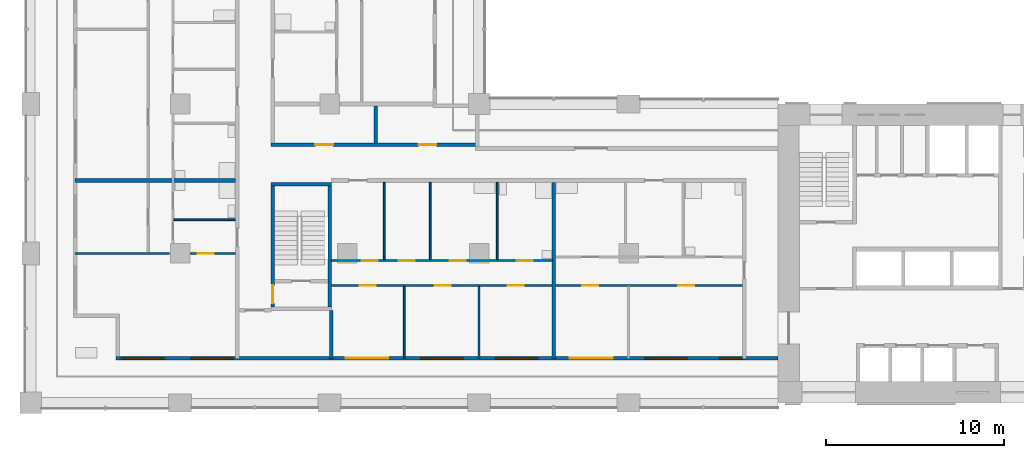
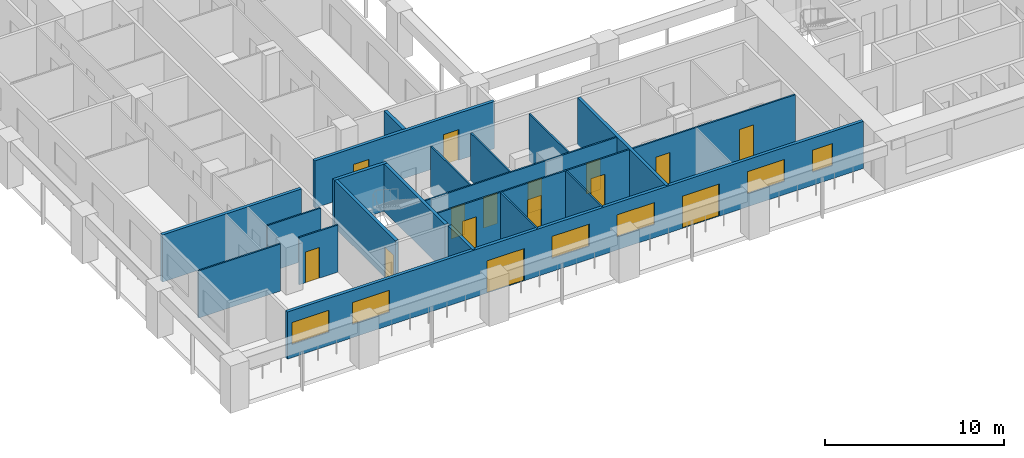
# One storey, part 2 of 17: 19 walls, 15 doors, 6 windows, 21 openings.
"""IFC4 building model written with IfcOpenShell, lengths in metres."""

from ifc_helpers import new_model, si_unit, direction, frame, frame_2d, origin, place, context, subcontext, project, spatial, rectangle, extrude, material, layer, layer_set, type_object, element, fill, save


model = new_model("IFC4")

# Units and contexts
model_context = context("Model", 3, precision=1e-05, world=origin(), true_north=direction((0.0, 1.0)))
body_context = subcontext(model_context, "Body", "Model", "MODEL_VIEW")
ifc_project = project(units=[si_unit("LENGTHUNIT", "METRE"), si_unit("AREAUNIT", "SQUARE_METRE"), si_unit("VOLUMEUNIT", "CUBIC_METRE"), si_unit("PLANEANGLEUNIT", "RADIAN"), si_unit("MASSUNIT", "GRAM", prefix="KILO")], contexts=[model_context])

# Site, building, storey
site_placement = place(None, origin())
site = spatial("IfcSite", under=ifc_project, at=site_placement, CompositionType="ELEMENT")
building_placement = place(site_placement, origin())
building = spatial("IfcBuilding", under=site, at=building_placement, Name="Vermilion Gate Residences", CompositionType="ELEMENT")
storey_placement = place(building_placement, frame((0.0, 0.0, 112.699951171875)))
storey = spatial("IfcBuildingStorey", under=building, at=storey_placement, Name="L28", CompositionType="ELEMENT", Elevation=112.699951171875)

# Wall, openings, doors, windows
ifc_material_1 = material(Name="Insulated steel stud wall with terracotta rainscreen", Category="masonry")
ifc_layer_1 = layer(ifc_material_1, 0.199951171875)
ifc_layer_set_1 = layer_set([ifc_layer_1], Name="EXTERNAL WALL 200 TERRACOTTA RAINSCREEN")
wall_type_1 = type_object("IfcWallType", Name="EXTERNAL WALL 200 TERRACOTTA RAINSCREEN", PredefinedType="SOLIDWALL", material=ifc_layer_set_1)
wall_1_placement = place(storey_placement, frame((4.800048828125, 10.89990234375, 0.0), z_axis=(0.0, 0.0, 1.0), x_axis=(1.0, 0.0, 0.0)))
wall_1 = element("IfcWall", 1, at=wall_1_placement, inside=storey, type_object=wall_type_1, Name="External wall", PredefinedType="SOLIDWALL", context=body_context, shape_type="SweptSolid", body=[
    extrude(rectangle(XDim=37.199951171875, YDim=0.199951171875, at=frame_2d((18.60009765625, 0.0))), origin(), (0.0, 0.0, 1.0), 3.219970703125),
])
opening_1_placement = place(wall_1_placement, frame((0.300048828125, 0.0, 0.89990234375)))
opening_1 = element("IfcOpeningElement", 2, at=opening_1_placement, cuts=wall_1, Name="Opening WE28012", PredefinedType="OPENING", context=body_context, shape_type="SweptSolid", body=[
    extrude(rectangle(XDim=2.39990234375, YDim=1.5, at=frame_2d((1.199951171875, 0.75))), frame((0.0, 0.10986328125, 0.0), z_axis=(0.0, -1.0, 0.0), x_axis=(1.0, 0.0, 0.0)), (0.0, 0.0, 1.0), 0.219970703125),
])
opening_2_placement = place(wall_1_placement, frame((4.199951171875, 0.0, 0.89990234375)))
opening_2 = element("IfcOpeningElement", 3, at=opening_2_placement, cuts=wall_1, Name="Opening WE28013", PredefinedType="OPENING", context=body_context, shape_type="SweptSolid", body=[
    extrude(rectangle(XDim=2.39990234375, YDim=1.5, at=frame_2d((1.199951171875, 0.75))), frame((0.0, 0.10986328125, 0.0), z_axis=(0.0, -1.0, 0.0), x_axis=(1.0, 0.0, 0.0)), (0.0, 0.0, 1.0), 0.219970703125),
])
opening_3_placement = place(wall_1_placement, frame((12.89990234375, 0.0, 0.0)))
opening_3 = element("IfcOpeningElement", 4, at=opening_3_placement, cuts=wall_1, Name="Opening DE28014", PredefinedType="OPENING", context=body_context, shape_type="SweptSolid", body=[
    extrude(rectangle(XDim=2.39990234375, YDim=2.199951171875, at=frame_2d((1.199951171875, 1.10009765625))), frame((0.0, 0.10986328125, 0.0), z_axis=(0.0, -1.0, 0.0), x_axis=(1.0, 0.0, 0.0)), (0.0, 0.0, 1.0), 0.219970703125),
])
opening_4_placement = place(wall_1_placement, frame((17.10009765625, 0.0, 0.89990234375)))
opening_4 = element("IfcOpeningElement", 5, at=opening_4_placement, cuts=wall_1, Name="Opening WE28015", PredefinedType="OPENING", context=body_context, shape_type="SweptSolid", body=[
    extrude(rectangle(XDim=2.39990234375, YDim=1.5, at=frame_2d((1.199951171875, 0.75))), frame((0.0, 0.10986328125, 0.0), z_axis=(0.0, -1.0, 0.0), x_axis=(1.0, 0.0, 0.0)), (0.0, 0.0, 1.0), 0.219970703125),
])
opening_5_placement = place(wall_1_placement, frame((21.300048828125, 0.0, 0.89990234375)))
opening_5 = element("IfcOpeningElement", 6, at=opening_5_placement, cuts=wall_1, Name="Opening WE28016", PredefinedType="OPENING", context=body_context, shape_type="SweptSolid", body=[
    extrude(rectangle(XDim=2.39990234375, YDim=1.5, at=frame_2d((1.199951171875, 0.75))), frame((0.0, 0.10986328125, 0.0), z_axis=(0.0, -1.0, 0.0), x_axis=(1.0, 0.0, 0.0)), (0.0, 0.0, 1.0), 0.219970703125),
])
opening_6_placement = place(wall_1_placement, frame((25.5, 0.0, 0.0)))
opening_6 = element("IfcOpeningElement", 7, at=opening_6_placement, cuts=wall_1, Name="Opening DE28017", PredefinedType="OPENING", context=body_context, shape_type="SweptSolid", body=[
    extrude(rectangle(XDim=2.39990234375, YDim=2.199951171875, at=frame_2d((1.199951171875, 1.10009765625))), frame((0.0, 0.10986328125, 0.0), z_axis=(0.0, -1.0, 0.0), x_axis=(1.0, 0.0, 0.0)), (0.0, 0.0, 1.0), 0.219970703125),
])
opening_7_placement = place(wall_1_placement, frame((29.699951171875, 0.0, 0.89990234375)))
opening_7 = element("IfcOpeningElement", 8, at=opening_7_placement, cuts=wall_1, Name="Opening WE28018", PredefinedType="OPENING", context=body_context, shape_type="SweptSolid", body=[
    extrude(rectangle(XDim=2.39990234375, YDim=1.5, at=frame_2d((1.199951171875, 0.75))), frame((0.0, 0.10986328125, 0.0), z_axis=(0.0, -1.0, 0.0), x_axis=(1.0, 0.0, 0.0)), (0.0, 0.0, 1.0), 0.219970703125),
])
opening_8_placement = place(wall_1_placement, frame((33.89990234375, 0.0, 0.89990234375)))
opening_8 = element("IfcOpeningElement", 9, at=opening_8_placement, cuts=wall_1, Name="Opening WE28019", PredefinedType="OPENING", context=body_context, shape_type="SweptSolid", body=[
    extrude(rectangle(XDim=1.300048828125, YDim=1.5, at=frame_2d((0.64990234375, 0.75))), frame((0.0, 0.10986328125, 0.0), z_axis=(0.0, -1.0, 0.0), x_axis=(1.0, 0.0, 0.0)), (0.0, 0.0, 1.0), 0.219970703125),
])
ifc_material_2 = material(Name="Aluminium and clear glass", Category="aluminium")
door_type_1 = type_object("IfcDoorType", Name="SLIDING GLAZED DOOR 2400 X 2200", OperationType="DOUBLE_DOOR_SLIDING", PredefinedType="DOOR", material=ifc_material_2)
door_1_placement = place(opening_3_placement, origin())
door_1 = element("IfcDoor", 10, at=door_1_placement, inside=storey, type_object=door_type_1, Name="Loggia sliding door", OperationType="DOUBLE_DOOR_SLIDING", OverallHeight=2.199951171875, OverallWidth=2.39990234375, PredefinedType="DOOR", context=body_context, shape_type="SweptSolid", body=[
    extrude(rectangle(XDim=2.39990234375, YDim=2.199951171875, at=frame_2d((1.199951171875, 1.10009765625))), frame((0.0, 0.02490234375, 0.0), z_axis=(0.0, -1.0, 0.0), x_axis=(1.0, 0.0, 0.0)), (0.0, 0.0, 1.0), 0.050048828125),
])
fill(opening_3, door_1)
door_2_placement = place(opening_6_placement, origin())
door_2 = element("IfcDoor", 11, at=door_2_placement, inside=storey, type_object=door_type_1, Name="Loggia sliding door", OperationType="DOUBLE_DOOR_SLIDING", OverallHeight=2.199951171875, OverallWidth=2.39990234375, PredefinedType="DOOR", context=body_context, shape_type="SweptSolid", body=[
    extrude(rectangle(XDim=2.39990234375, YDim=2.199951171875, at=frame_2d((1.199951171875, 1.10009765625))), frame((0.0, 0.02490234375, 0.0), z_axis=(0.0, -1.0, 0.0), x_axis=(1.0, 0.0, 0.0)), (0.0, 0.0, 1.0), 0.050048828125),
])
fill(opening_6, door_2)
ifc_material_3 = material(Name="Aluminium and clear glass", Category="aluminium")
window_type_1 = type_object("IfcWindowType", Name="WINDOW 1300 X 1500", PartitioningType="SINGLE_PANEL", PredefinedType="WINDOW", material=ifc_material_3)
window_1_placement = place(opening_8_placement, origin())
window_1 = element("IfcWindow", 12, at=window_1_placement, inside=storey, type_object=window_type_1, Name="Window", OverallHeight=1.5, OverallWidth=1.300048828125, PartitioningType="SINGLE_PANEL", PredefinedType="WINDOW", context=body_context, shape_type="SweptSolid", body=[
    extrude(rectangle(XDim=1.300048828125, YDim=1.5, at=frame_2d((0.64990234375, 0.75))), frame((0.0, 0.030029296875, 0.0), z_axis=(0.0, -1.0, 0.0), x_axis=(1.0, 0.0, 0.0)), (0.0, 0.0, 1.0), 0.06005859375),
])
fill(opening_8, window_1)
ifc_material_4 = material(Name="Aluminium and clear glass", Category="aluminium")
window_type_2 = type_object("IfcWindowType", Name="WINDOW 2400 X 1500", PartitioningType="SINGLE_PANEL", PredefinedType="WINDOW", material=ifc_material_4)
window_2_placement = place(opening_1_placement, origin())
window_2 = element("IfcWindow", 13, at=window_2_placement, inside=storey, type_object=window_type_2, Name="Window", OverallHeight=1.5, OverallWidth=2.39990234375, PartitioningType="SINGLE_PANEL", PredefinedType="WINDOW", context=body_context, shape_type="SweptSolid", body=[
    extrude(rectangle(XDim=2.39990234375, YDim=1.5, at=frame_2d((1.199951171875, 0.75))), frame((0.0, 0.030029296875, 0.0), z_axis=(0.0, -1.0, 0.0), x_axis=(1.0, 0.0, 0.0)), (0.0, 0.0, 1.0), 0.06005859375),
])
fill(opening_1, window_2)
window_3_placement = place(opening_2_placement, origin())
window_3 = element("IfcWindow", 14, at=window_3_placement, inside=storey, type_object=window_type_2, Name="Window", OverallHeight=1.5, OverallWidth=2.39990234375, PartitioningType="SINGLE_PANEL", PredefinedType="WINDOW", context=body_context, shape_type="SweptSolid", body=[
    extrude(rectangle(XDim=2.39990234375, YDim=1.5, at=frame_2d((1.199951171875, 0.75))), frame((0.0, 0.030029296875, 0.0), z_axis=(0.0, -1.0, 0.0), x_axis=(1.0, 0.0, 0.0)), (0.0, 0.0, 1.0), 0.06005859375),
])
fill(opening_2, window_3)
window_4_placement = place(opening_4_placement, origin())
window_4 = element("IfcWindow", 15, at=window_4_placement, inside=storey, type_object=window_type_2, Name="Window", OverallHeight=1.5, OverallWidth=2.39990234375, PartitioningType="SINGLE_PANEL", PredefinedType="WINDOW", context=body_context, shape_type="SweptSolid", body=[
    extrude(rectangle(XDim=2.39990234375, YDim=1.5, at=frame_2d((1.199951171875, 0.75))), frame((0.0, 0.030029296875, 0.0), z_axis=(0.0, -1.0, 0.0), x_axis=(1.0, 0.0, 0.0)), (0.0, 0.0, 1.0), 0.06005859375),
])
fill(opening_4, window_4)
window_5_placement = place(opening_5_placement, origin())
window_5 = element("IfcWindow", 16, at=window_5_placement, inside=storey, type_object=window_type_2, Name="Window", OverallHeight=1.5, OverallWidth=2.39990234375, PartitioningType="SINGLE_PANEL", PredefinedType="WINDOW", context=body_context, shape_type="SweptSolid", body=[
    extrude(rectangle(XDim=2.39990234375, YDim=1.5, at=frame_2d((1.199951171875, 0.75))), frame((0.0, 0.030029296875, 0.0), z_axis=(0.0, -1.0, 0.0), x_axis=(1.0, 0.0, 0.0)), (0.0, 0.0, 1.0), 0.06005859375),
])
fill(opening_5, window_5)
window_6_placement = place(opening_7_placement, origin())
window_6 = element("IfcWindow", 17, at=window_6_placement, inside=storey, type_object=window_type_2, Name="Window", OverallHeight=1.5, OverallWidth=2.39990234375, PartitioningType="SINGLE_PANEL", PredefinedType="WINDOW", context=body_context, shape_type="SweptSolid", body=[
    extrude(rectangle(XDim=2.39990234375, YDim=1.5, at=frame_2d((1.199951171875, 0.75))), frame((0.0, 0.030029296875, 0.0), z_axis=(0.0, -1.0, 0.0), x_axis=(1.0, 0.0, 0.0)), (0.0, 0.0, 1.0), 0.06005859375),
])
fill(opening_7, window_6)

# Wall, openings, doors
ifc_material_5 = material(Name="Plasterboard on steel studs", Category="steel")
ifc_layer_2 = layer(ifc_material_5, 0.10009765625)
ifc_layer_set_2 = layer_set([ifc_layer_2], Name="PARTITION 100")
wall_type_2 = type_object("IfcWallType", Name="PARTITION 100", PredefinedType="PARTITIONING", material=ifc_layer_set_2)
wall_2_placement = place(storey_placement, frame((16.89990234375, 15.0, 0.0), z_axis=(0.0, 0.0, 1.0), x_axis=(1.0, 0.0, 0.0)))
wall_2 = element("IfcWall", 18, at=wall_2_placement, inside=storey, type_object=wall_type_2, Name="Partition", PredefinedType="PARTITIONING", context=body_context, shape_type="SweptSolid", body=[
    extrude(rectangle(XDim=23.10009765625, YDim=0.10009765625, at=frame_2d((11.550048828125, 0.0))), origin(), (0.0, 0.0, 1.0), 3.219970703125),
])
opening_9_placement = place(wall_2_placement, frame((1.60009765625, 0.0, 0.0)))
opening_9 = element("IfcOpeningElement", 19, at=opening_9_placement, cuts=wall_2, Name="Opening DA28002", PredefinedType="OPENING", context=body_context, shape_type="SweptSolid", body=[
    extrude(rectangle(XDim=0.89990234375, YDim=2.10009765625, at=frame_2d((0.449951171875, 1.050048828125))), frame((0.0, 0.06005859375, 0.0), z_axis=(0.0, -1.0, 0.0), x_axis=(1.0, 0.0, 0.0)), (0.0, 0.0, 1.0), 0.1201171875),
])
opening_10_placement = place(wall_2_placement, frame((5.800048828125, 0.0, 0.0)))
opening_10 = element("IfcOpeningElement", 20, at=opening_10_placement, cuts=wall_2, Name="Opening DA28003", PredefinedType="OPENING", context=body_context, shape_type="SweptSolid", body=[
    extrude(rectangle(XDim=0.89990234375, YDim=2.10009765625, at=frame_2d((0.449951171875, 1.050048828125))), frame((0.0, 0.06005859375, 0.0), z_axis=(0.0, -1.0, 0.0), x_axis=(1.0, 0.0, 0.0)), (0.0, 0.0, 1.0), 0.1201171875),
])
opening_11_placement = place(wall_2_placement, frame((9.89990234375, 0.0, 0.0)))
opening_11 = element("IfcOpeningElement", 21, at=opening_11_placement, cuts=wall_2, Name="Opening DA28004", PredefinedType="OPENING", context=body_context, shape_type="SweptSolid", body=[
    extrude(rectangle(XDim=0.89990234375, YDim=2.10009765625, at=frame_2d((0.449951171875, 1.050048828125))), frame((0.0, 0.06005859375, 0.0), z_axis=(0.0, -1.0, 0.0), x_axis=(1.0, 0.0, 0.0)), (0.0, 0.0, 1.0), 0.1201171875),
])
opening_12_placement = place(wall_2_placement, frame((14.10009765625, 0.0, 0.0)))
opening_12 = element("IfcOpeningElement", 22, at=opening_12_placement, cuts=wall_2, Name="Opening DA28005", PredefinedType="OPENING", context=body_context, shape_type="SweptSolid", body=[
    extrude(rectangle(XDim=0.89990234375, YDim=2.10009765625, at=frame_2d((0.449951171875, 1.050048828125))), frame((0.0, 0.06005859375, 0.0), z_axis=(0.0, -1.0, 0.0), x_axis=(1.0, 0.0, 0.0)), (0.0, 0.0, 1.0), 0.1201171875),
])
opening_13_placement = place(wall_2_placement, frame((19.5, 0.0, 0.0)))
opening_13 = element("IfcOpeningElement", 23, at=opening_13_placement, cuts=wall_2, Name="Opening DA28006", PredefinedType="OPENING", context=body_context, shape_type="SweptSolid", body=[
    extrude(rectangle(XDim=0.89990234375, YDim=2.10009765625, at=frame_2d((0.449951171875, 1.050048828125))), frame((0.0, 0.06005859375, 0.0), z_axis=(0.0, -1.0, 0.0), x_axis=(1.0, 0.0, 0.0)), (0.0, 0.0, 1.0), 0.1201171875),
])
ifc_material_6 = material(Name="Timber", Category="wood")
door_type_2 = type_object("IfcDoorType", Name="INTERIOR DOOR 900 X 2100", OperationType="SINGLE_SWING_LEFT", PredefinedType="DOOR", material=ifc_material_6)
door_3_placement = place(opening_9_placement, frame((0.89990234375, 0.0, 0.0), z_axis=(0.0, 0.0, 1.0), x_axis=(-1.0, 0.0, 0.0)))
door_3 = element("IfcDoor", 24, at=door_3_placement, inside=storey, type_object=door_type_2, Name="Interior door", OperationType="SINGLE_SWING_LEFT", OverallHeight=2.10009765625, OverallWidth=0.89990234375, PredefinedType="DOOR", context=body_context, shape_type="SweptSolid", body=[
    extrude(rectangle(XDim=0.89990234375, YDim=2.10009765625, at=frame_2d((0.449951171875, 1.050048828125))), frame((0.0, 0.02490234375, 0.0), z_axis=(0.0, -1.0, 0.0), x_axis=(1.0, 0.0, 0.0)), (0.0, 0.0, 1.0), 0.050048828125),
])
fill(opening_9, door_3)
door_4_placement = place(opening_10_placement, frame((0.89990234375, 0.0, 0.0), z_axis=(0.0, 0.0, 1.0), x_axis=(-1.0, 0.0, 0.0)))
door_4 = element("IfcDoor", 25, at=door_4_placement, inside=storey, type_object=door_type_2, Name="Interior door", OperationType="SINGLE_SWING_LEFT", OverallHeight=2.10009765625, OverallWidth=0.89990234375, PredefinedType="DOOR", context=body_context, shape_type="SweptSolid", body=[
    extrude(rectangle(XDim=0.89990234375, YDim=2.10009765625, at=frame_2d((0.449951171875, 1.050048828125))), frame((0.0, 0.02490234375, 0.0), z_axis=(0.0, -1.0, 0.0), x_axis=(1.0, 0.0, 0.0)), (0.0, 0.0, 1.0), 0.050048828125),
])
fill(opening_10, door_4)
door_5_placement = place(opening_11_placement, frame((0.89990234375, 0.0, 0.0), z_axis=(0.0, 0.0, 1.0), x_axis=(-1.0, 0.0, 0.0)))
door_5 = element("IfcDoor", 26, at=door_5_placement, inside=storey, type_object=door_type_2, Name="Interior door", OperationType="SINGLE_SWING_RIGHT", OverallHeight=2.10009765625, OverallWidth=0.89990234375, PredefinedType="DOOR", context=body_context, shape_type="SweptSolid", body=[
    extrude(rectangle(XDim=0.89990234375, YDim=2.10009765625, at=frame_2d((0.449951171875, 1.050048828125))), frame((0.0, 0.02490234375, 0.0), z_axis=(0.0, -1.0, 0.0), x_axis=(1.0, 0.0, 0.0)), (0.0, 0.0, 1.0), 0.050048828125),
])
fill(opening_11, door_5)
door_6_placement = place(opening_12_placement, frame((0.89990234375, 0.0, 0.0), z_axis=(0.0, 0.0, 1.0), x_axis=(-1.0, 0.0, 0.0)))
door_6 = element("IfcDoor", 27, at=door_6_placement, inside=storey, type_object=door_type_2, Name="Interior door", OperationType="SINGLE_SWING_RIGHT", OverallHeight=2.10009765625, OverallWidth=0.89990234375, PredefinedType="DOOR", context=body_context, shape_type="SweptSolid", body=[
    extrude(rectangle(XDim=0.89990234375, YDim=2.10009765625, at=frame_2d((0.449951171875, 1.050048828125))), frame((0.0, 0.02490234375, 0.0), z_axis=(0.0, -1.0, 0.0), x_axis=(1.0, 0.0, 0.0)), (0.0, 0.0, 1.0), 0.050048828125),
])
fill(opening_12, door_6)
door_7_placement = place(opening_13_placement, frame((0.89990234375, 0.0, 0.0), z_axis=(0.0, 0.0, 1.0), x_axis=(-1.0, 0.0, 0.0)))
door_7 = element("IfcDoor", 28, at=door_7_placement, inside=storey, type_object=door_type_2, Name="Interior door", OperationType="SINGLE_SWING_LEFT", OverallHeight=2.10009765625, OverallWidth=0.89990234375, PredefinedType="DOOR", context=body_context, shape_type="SweptSolid", body=[
    extrude(rectangle(XDim=0.89990234375, YDim=2.10009765625, at=frame_2d((0.449951171875, 1.050048828125))), frame((0.0, 0.02490234375, 0.0), z_axis=(0.0, -1.0, 0.0), x_axis=(1.0, 0.0, 0.0)), (0.0, 0.0, 1.0), 0.050048828125),
])
fill(opening_13, door_7)

wall_3_placement = place(storey_placement, frame((16.89990234375, 16.39990234375, 0.0), z_axis=(0.0, 0.0, 1.0), x_axis=(1.0, 0.0, 0.0)))
wall_3 = element("IfcWall", 29, at=wall_3_placement, inside=storey, type_object=wall_type_2, Name="Partition", PredefinedType="PARTITIONING", context=body_context, shape_type="SweptSolid", body=[
    extrude(rectangle(XDim=12.400146484375, YDim=0.10009765625, at=frame_2d((6.2001953125, 0.0))), origin(), (0.0, 0.0, 1.0), 3.219970703125),
])
opening_14_placement = place(wall_3_placement, frame((1.699951171875, 0.0, 0.0)))
opening_14 = element("IfcOpeningElement", 30, at=opening_14_placement, cuts=wall_3, Name="Opening DA28007", PredefinedType="OPENING", context=body_context, shape_type="SweptSolid", body=[
    extrude(rectangle(XDim=0.89990234375, YDim=2.10009765625, at=frame_2d((0.449951171875, 1.050048828125))), frame((0.0, 0.06005859375, 0.0), z_axis=(0.0, -1.0, 0.0), x_axis=(1.0, 0.0, 0.0)), (0.0, 0.0, 1.0), 0.1201171875),
])
opening_15_placement = place(wall_3_placement, frame((3.77490234375, 0.0, 0.0)))
opening_15 = element("IfcOpeningElement", 31, at=opening_15_placement, cuts=wall_3, Name="Opening DA28008", PredefinedType="OPENING", context=body_context, shape_type="SweptSolid", body=[
    extrude(rectangle(XDim=0.89990234375, YDim=2.10009765625, at=frame_2d((0.449951171875, 1.050048828125))), frame((0.0, 0.06005859375, 0.0), z_axis=(0.0, -1.0, 0.0), x_axis=(1.0, 0.0, 0.0)), (0.0, 0.0, 1.0), 0.1201171875),
])
opening_16_placement = place(wall_3_placement, frame((6.64990234375, 0.0, 0.0)))
opening_16 = element("IfcOpeningElement", 32, at=opening_16_placement, cuts=wall_3, Name="Opening DA28009", PredefinedType="OPENING", context=body_context, shape_type="SweptSolid", body=[
    extrude(rectangle(XDim=0.89990234375, YDim=2.10009765625, at=frame_2d((0.449951171875, 1.050048828125))), frame((0.0, 0.06005859375, 0.0), z_axis=(0.0, -1.0, 0.0), x_axis=(1.0, 0.0, 0.0)), (0.0, 0.0, 1.0), 0.1201171875),
])
opening_17_placement = place(wall_3_placement, frame((10.425048828125, 0.0, 0.0)))
opening_17 = element("IfcOpeningElement", 33, at=opening_17_placement, cuts=wall_3, Name="Opening DA28010", PredefinedType="OPENING", context=body_context, shape_type="SweptSolid", body=[
    extrude(rectangle(XDim=0.89990234375, YDim=2.10009765625, at=frame_2d((0.449951171875, 1.050048828125))), frame((0.0, 0.06005859375, 0.0), z_axis=(0.0, -1.0, 0.0), x_axis=(1.0, 0.0, 0.0)), (0.0, 0.0, 1.0), 0.1201171875),
])
door_8_placement = place(opening_14_placement, origin())
door_8 = element("IfcDoor", 34, at=door_8_placement, inside=storey, type_object=door_type_2, Name="Interior door", OperationType="SINGLE_SWING_LEFT", OverallHeight=2.10009765625, OverallWidth=0.89990234375, PredefinedType="DOOR", context=body_context, shape_type="SweptSolid", body=[
    extrude(rectangle(XDim=0.89990234375, YDim=2.10009765625, at=frame_2d((0.449951171875, 1.050048828125))), frame((0.0, 0.02490234375, 0.0), z_axis=(0.0, -1.0, 0.0), x_axis=(1.0, 0.0, 0.0)), (0.0, 0.0, 1.0), 0.050048828125),
])
fill(opening_14, door_8)
door_9_placement = place(opening_15_placement, origin())
door_9 = element("IfcDoor", 35, at=door_9_placement, inside=storey, type_object=door_type_2, Name="Interior door", OperationType="SINGLE_SWING_LEFT", OverallHeight=2.10009765625, OverallWidth=0.89990234375, PredefinedType="DOOR", context=body_context, shape_type="SweptSolid", body=[
    extrude(rectangle(XDim=0.89990234375, YDim=2.10009765625, at=frame_2d((0.449951171875, 1.050048828125))), frame((0.0, 0.02490234375, 0.0), z_axis=(0.0, -1.0, 0.0), x_axis=(1.0, 0.0, 0.0)), (0.0, 0.0, 1.0), 0.050048828125),
])
fill(opening_15, door_9)
door_10_placement = place(opening_16_placement, origin())
door_10 = element("IfcDoor", 36, at=door_10_placement, inside=storey, type_object=door_type_2, Name="Interior door", OperationType="SINGLE_SWING_RIGHT", OverallHeight=2.10009765625, OverallWidth=0.89990234375, PredefinedType="DOOR", context=body_context, shape_type="SweptSolid", body=[
    extrude(rectangle(XDim=0.89990234375, YDim=2.10009765625, at=frame_2d((0.449951171875, 1.050048828125))), frame((0.0, 0.02490234375, 0.0), z_axis=(0.0, -1.0, 0.0), x_axis=(1.0, 0.0, 0.0)), (0.0, 0.0, 1.0), 0.050048828125),
])
fill(opening_16, door_10)
door_11_placement = place(opening_17_placement, origin())
door_11 = element("IfcDoor", 37, at=door_11_placement, inside=storey, type_object=door_type_2, Name="Interior door", OperationType="SINGLE_SWING_RIGHT", OverallHeight=2.10009765625, OverallWidth=0.89990234375, PredefinedType="DOOR", context=body_context, shape_type="SweptSolid", body=[
    extrude(rectangle(XDim=0.89990234375, YDim=2.10009765625, at=frame_2d((0.449951171875, 1.050048828125))), frame((0.0, 0.02490234375, 0.0), z_axis=(0.0, -1.0, 0.0), x_axis=(1.0, 0.0, 0.0)), (0.0, 0.0, 1.0), 0.050048828125),
])
fill(opening_17, door_11)

# Wall
wall_4_placement = place(storey_placement, frame((2.5, 16.800048828125, 0.0), z_axis=(0.0, 0.0, 1.0), x_axis=(1.0, 0.0, 0.0)))
element("IfcWall", 38, at=wall_4_placement, inside=storey, type_object=wall_type_2, Name="Partition", PredefinedType="PARTITIONING", context=body_context, shape_type="SweptSolid", body=[
    extrude(rectangle(XDim=5.300048828125, YDim=0.10009765625, at=frame_2d((2.64990234375, 0.0))), origin(), (0.0, 0.0, 1.0), 3.219970703125),
])

# Wall, opening, door
wall_5_placement = place(storey_placement, frame((9.0, 16.800048828125, 0.0), z_axis=(0.0, 0.0, 1.0), x_axis=(1.0, 0.0, 0.0)))
wall_5 = element("IfcWall", 39, at=wall_5_placement, inside=storey, type_object=wall_type_2, Name="Partition", PredefinedType="PARTITIONING", context=body_context, shape_type="SweptSolid", body=[
    extrude(rectangle(XDim=2.5, YDim=0.10009765625, at=frame_2d((1.25, 0.0))), origin(), (0.0, 0.0, 1.0), 3.219970703125),
])
opening_18_placement = place(wall_5_placement, frame((0.39990234375, 0.0, 0.0)))
opening_18 = element("IfcOpeningElement", 40, at=opening_18_placement, cuts=wall_5, Name="Opening DA28014", PredefinedType="OPENING", context=body_context, shape_type="SweptSolid", body=[
    extrude(rectangle(XDim=0.89990234375, YDim=2.10009765625, at=frame_2d((0.449951171875, 1.050048828125))), frame((0.0, 0.06005859375, 0.0), z_axis=(0.0, -1.0, 0.0), x_axis=(1.0, 0.0, 0.0)), (0.0, 0.0, 1.0), 0.1201171875),
])
door_12_placement = place(opening_18_placement, frame((0.89990234375, 0.0, 0.0), z_axis=(0.0, 0.0, 1.0), x_axis=(-1.0, 0.0, 0.0)))
door_12 = element("IfcDoor", 41, at=door_12_placement, inside=storey, type_object=door_type_2, Name="Interior door", OperationType="SINGLE_SWING_RIGHT", OverallHeight=2.10009765625, OverallWidth=0.89990234375, PredefinedType="DOOR", context=body_context, shape_type="SweptSolid", body=[
    extrude(rectangle(XDim=0.89990234375, YDim=2.10009765625, at=frame_2d((0.449951171875, 1.050048828125))), frame((0.0, 0.02490234375, 0.0), z_axis=(0.0, -1.0, 0.0), x_axis=(1.0, 0.0, 0.0)), (0.0, 0.0, 1.0), 0.050048828125),
])
fill(opening_18, door_12)

# Walls
wall_6_placement = place(storey_placement, frame((8.050048828125, 18.699951171875, 0.0), z_axis=(0.0, 0.0, 1.0), x_axis=(1.0, 0.0, 0.0)))
element("IfcWall", 42, at=wall_6_placement, inside=storey, type_object=wall_type_2, Name="Partition", PredefinedType="PARTITIONING", context=body_context, shape_type="SweptSolid", body=[
    extrude(rectangle(XDim=3.449951171875, YDim=0.10009765625, at=frame_2d((1.72509765625, 0.0))), origin(), (0.0, 0.0, 1.0), 3.219970703125),
])
wall_7_placement = place(storey_placement, frame((19.875, 16.449951171875, 0.0), z_axis=(0.0, 0.0, 1.0), x_axis=(0.0, 1.0, 0.0)))
element("IfcWall", 43, at=wall_7_placement, inside=storey, type_object=wall_type_2, Name="Partition", PredefinedType="PARTITIONING", context=body_context, shape_type="SweptSolid", body=[
    extrude(rectangle(XDim=4.35009765625, YDim=0.10009765625, at=frame_2d((2.175048828125, 0.0))), origin(), (0.0, 0.0, 1.0), 3.219970703125),
])
wall_8_placement = place(storey_placement, frame((21.0, 10.89990234375, 0.0), z_axis=(0.0, 0.0, 1.0), x_axis=(0.0, 1.0, 0.0)))
element("IfcWall", 44, at=wall_8_placement, inside=storey, type_object=wall_type_2, Name="Partition", PredefinedType="PARTITIONING", context=body_context, shape_type="SweptSolid", body=[
    extrude(rectangle(XDim=4.050048828125, YDim=0.10009765625, at=frame_2d((2.02490234375, 0.0))), origin(), (0.0, 0.0, 1.0), 3.219970703125),
])
wall_9_placement = place(storey_placement, frame((22.449951171875, 16.449951171875, 0.0), z_axis=(0.0, 0.0, 1.0), x_axis=(0.0, 1.0, 0.0)))
element("IfcWall", 45, at=wall_9_placement, inside=storey, type_object=wall_type_2, Name="Partition", PredefinedType="PARTITIONING", context=body_context, shape_type="SweptSolid", body=[
    extrude(rectangle(XDim=4.35009765625, YDim=0.10009765625, at=frame_2d((2.175048828125, 0.0))), origin(), (0.0, 0.0, 1.0), 3.219970703125),
])
wall_10_placement = place(storey_placement, frame((25.199951171875, 10.89990234375, 0.0), z_axis=(0.0, 0.0, 1.0), x_axis=(0.0, 1.0, 0.0)))
element("IfcWall", 46, at=wall_10_placement, inside=storey, type_object=wall_type_2, Name="Partition", PredefinedType="PARTITIONING", context=body_context, shape_type="SweptSolid", body=[
    extrude(rectangle(XDim=4.050048828125, YDim=0.10009765625, at=frame_2d((2.02490234375, 0.0))), origin(), (0.0, 0.0, 1.0), 3.219970703125),
])
wall_11_placement = place(storey_placement, frame((26.22509765625, 16.449951171875, 0.0), z_axis=(0.0, 0.0, 1.0), x_axis=(0.0, 1.0, 0.0)))
element("IfcWall", 47, at=wall_11_placement, inside=storey, type_object=wall_type_2, Name="Partition", PredefinedType="PARTITIONING", context=body_context, shape_type="SweptSolid", body=[
    extrude(rectangle(XDim=4.35009765625, YDim=0.10009765625, at=frame_2d((2.175048828125, 0.0))), origin(), (0.0, 0.0, 1.0), 3.219970703125),
])
ifc_material_7 = material(Name="Fire-rated plasterboard on steel studs", Category="steel")
ifc_layer_3 = layer(ifc_material_7, 0.199951171875)
ifc_layer_set_3 = layer_set([ifc_layer_3], Name="PARTY WALL 200 EI 120")
wall_type_3 = type_object("IfcWallType", Name="PARTY WALL 200 EI 120", PredefinedType="PARTITIONING", material=ifc_layer_set_3)
wall_12_placement = place(storey_placement, frame((2.5, 20.89990234375, 0.0), z_axis=(0.0, 0.0, 1.0), x_axis=(1.0, 0.0, 0.0)))
element("IfcWall", 48, at=wall_12_placement, inside=storey, type_object=wall_type_3, Name="Party and corridor wall", PredefinedType="PARTITIONING", context=body_context, shape_type="SweptSolid", body=[
    extrude(rectangle(XDim=9.0, YDim=0.199951171875, at=frame_2d((4.5, 0.0))), origin(), (0.0, 0.0, 1.0), 3.219970703125),
])

# Wall, openings, doors
wall_13_placement = place(storey_placement, frame((13.5, 22.89990234375, 0.0), z_axis=(0.0, 0.0, 1.0), x_axis=(1.0, 0.0, 0.0)))
wall_13 = element("IfcWall", 49, at=wall_13_placement, inside=storey, type_object=wall_type_3, Name="Party and corridor wall", PredefinedType="PARTITIONING", context=body_context, shape_type="SweptSolid", body=[
    extrude(rectangle(XDim=11.60009765625, YDim=0.199951171875, at=frame_2d((5.800048828125, 0.0))), origin(), (0.0, 0.0, 1.0), 3.219970703125),
])
opening_19_placement = place(wall_13_placement, frame((2.5, 0.0, 0.0)))
opening_19 = element("IfcOpeningElement", 50, at=opening_19_placement, cuts=wall_13, Name="Opening DA28017", PredefinedType="OPENING", context=body_context, shape_type="SweptSolid", body=[
    extrude(rectangle(XDim=1.0, YDim=2.10009765625, at=frame_2d((0.5, 1.050048828125))), frame((0.0, 0.10986328125, 0.0), z_axis=(0.0, -1.0, 0.0), x_axis=(1.0, 0.0, 0.0)), (0.0, 0.0, 1.0), 0.219970703125),
])
opening_20_placement = place(wall_13_placement, frame((8.300048828125, 0.0, 0.0)))
opening_20 = element("IfcOpeningElement", 51, at=opening_20_placement, cuts=wall_13, Name="Opening DA28018", PredefinedType="OPENING", context=body_context, shape_type="SweptSolid", body=[
    extrude(rectangle(XDim=1.0, YDim=2.10009765625, at=frame_2d((0.5, 1.050048828125))), frame((0.0, 0.10986328125, 0.0), z_axis=(0.0, -1.0, 0.0), x_axis=(1.0, 0.0, 0.0)), (0.0, 0.0, 1.0), 0.219970703125),
])
ifc_material_8 = material(Name="Steel", Category="steel")
door_type_3 = type_object("IfcDoorType", Name="ENTRANCE DOOR 1000 X 2100 FD30", OperationType="SINGLE_SWING_LEFT", PredefinedType="DOOR", material=ifc_material_8)
door_13_placement = place(opening_19_placement, origin())
door_13 = element("IfcDoor", 52, at=door_13_placement, inside=storey, type_object=door_type_3, Name="Entrance door", OperationType="SINGLE_SWING_RIGHT", OverallHeight=2.10009765625, OverallWidth=1.0, PredefinedType="DOOR", context=body_context, shape_type="SweptSolid", body=[
    extrude(rectangle(XDim=1.0, YDim=2.10009765625, at=frame_2d((0.5, 1.050048828125))), frame((0.0, 0.02490234375, 0.0), z_axis=(0.0, -1.0, 0.0), x_axis=(1.0, 0.0, 0.0)), (0.0, 0.0, 1.0), 0.050048828125),
])
fill(opening_19, door_13)
door_14_placement = place(opening_20_placement, origin())
door_14 = element("IfcDoor", 53, at=door_14_placement, inside=storey, type_object=door_type_3, Name="Entrance door", OperationType="SINGLE_SWING_RIGHT", OverallHeight=2.10009765625, OverallWidth=1.0, PredefinedType="DOOR", context=body_context, shape_type="SweptSolid", body=[
    extrude(rectangle(XDim=1.0, YDim=2.10009765625, at=frame_2d((0.5, 1.050048828125))), frame((0.0, 0.02490234375, 0.0), z_axis=(0.0, -1.0, 0.0), x_axis=(1.0, 0.0, 0.0)), (0.0, 0.0, 1.0), 0.050048828125),
])
fill(opening_20, door_14)

# Walls
wall_14_placement = place(storey_placement, frame((16.89990234375, 10.89990234375, 0.0), z_axis=(0.0, 0.0, 1.0), x_axis=(0.0, 1.0, 0.0)))
element("IfcWall", 54, at=wall_14_placement, inside=storey, type_object=wall_type_3, Name="Party and corridor wall", PredefinedType="PARTITIONING", context=body_context, shape_type="SweptSolid", body=[
    extrude(rectangle(XDim=2.7001953125, YDim=0.199951171875, at=frame_2d((1.35009765625, 0.0))), origin(), (0.0, 0.0, 1.0), 3.219970703125),
])
wall_15_placement = place(storey_placement, frame((19.39990234375, 23.0, 0.0), z_axis=(0.0, 0.0, 1.0), x_axis=(0.0, 1.0, 0.0)))
element("IfcWall", 55, at=wall_15_placement, inside=storey, type_object=wall_type_3, Name="Party and corridor wall", PredefinedType="PARTITIONING", context=body_context, shape_type="SweptSolid", body=[
    extrude(rectangle(XDim=2.10009765625, YDim=0.199951171875, at=frame_2d((1.050048828125, 0.0))), origin(), (0.0, 0.0, 1.0), 3.219970703125),
])
wall_16_placement = place(storey_placement, frame((29.39990234375, 10.89990234375, 0.0), z_axis=(0.0, 0.0, 1.0), x_axis=(0.0, 1.0, 0.0)))
element("IfcWall", 56, at=wall_16_placement, inside=storey, type_object=wall_type_3, Name="Party and corridor wall", PredefinedType="PARTITIONING", context=body_context, shape_type="SweptSolid", body=[
    extrude(rectangle(XDim=9.900146484375, YDim=0.199951171875, at=frame_2d((4.9501953125, 0.0))), origin(), (0.0, 0.0, 1.0), 3.219970703125),
])

# Wall, opening, door
ifc_material_9 = material(Name="Concrete C60", Category="concrete")
ifc_layer_4 = layer(ifc_material_9, 0.199951171875)
ifc_layer_set_4 = layer_set([ifc_layer_4], Name="RC CORE INTERNAL WALL 200 C60")
wall_type_4 = type_object("IfcWallType", Name="RC CORE INTERNAL WALL 200 C60", PredefinedType="SHEAR", material=ifc_layer_set_4)
wall_17_placement = place(storey_placement, frame((13.60009765625, 13.800048828125, 0.0), z_axis=(0.0, 0.0, 1.0), x_axis=(0.0, 1.0, 0.0)))
wall_17 = element("IfcWall", 57, at=wall_17_placement, inside=storey, type_object=wall_type_4, Name="Core internal wall C28-W", PredefinedType="SHEAR", context=body_context, shape_type="SweptSolid", body=[
    extrude(rectangle(XDim=6.800048828125, YDim=0.199951171875, at=frame_2d((3.39990234375, 0.0))), origin(), (0.0, 0.0, 1.0), 3.219970703125),
])
opening_21_placement = place(wall_17_placement, frame((0.199951171875, 0.0, 0.0)))
opening_21 = element("IfcOpeningElement", 58, at=opening_21_placement, cuts=wall_17, Name="Opening DK28201", PredefinedType="OPENING", context=body_context, shape_type="SweptSolid", body=[
    extrude(rectangle(XDim=1.0, YDim=2.10009765625, at=frame_2d((0.5, 1.050048828125))), frame((0.0, 0.10986328125, 0.0), z_axis=(0.0, -1.0, 0.0), x_axis=(1.0, 0.0, 0.0)), (0.0, 0.0, 1.0), 0.219970703125),
])
ifc_material_10 = material(Name="Steel", Category="steel")
door_type_4 = type_object("IfcDoorType", Name="FIRE DOOR FD60 1000 X 2100", OperationType="SINGLE_SWING_LEFT", PredefinedType="DOOR", material=ifc_material_10)
door_15_placement = place(opening_21_placement, frame((1.0, 0.0, 0.0), z_axis=(0.0, 0.0, 1.0), x_axis=(-1.0, 0.0, 0.0)))
door_15 = element("IfcDoor", 59, at=door_15_placement, inside=storey, type_object=door_type_4, Name="Stair vestibule door C28", OperationType="SINGLE_SWING_LEFT", OverallHeight=2.10009765625, OverallWidth=1.0, PredefinedType="DOOR", context=body_context, shape_type="SweptSolid", body=[
    extrude(rectangle(XDim=1.0, YDim=2.10009765625, at=frame_2d((0.5, 1.050048828125))), frame((0.0, 0.02490234375, 0.0), z_axis=(0.0, -1.0, 0.0), x_axis=(1.0, 0.0, 0.0)), (0.0, 0.0, 1.0), 0.050048828125),
])
fill(opening_21, door_15)

# Walls
wall_18_placement = place(storey_placement, frame((16.800048828125, 13.800048828125, 0.0), z_axis=(0.0, 0.0, 1.0), x_axis=(0.0, 1.0, 0.0)))
element("IfcWall", 60, at=wall_18_placement, inside=storey, type_object=wall_type_4, Name="Core internal wall C28-E", PredefinedType="SHEAR", context=body_context, shape_type="SweptSolid", body=[
    extrude(rectangle(XDim=6.800048828125, YDim=0.199951171875, at=frame_2d((3.39990234375, 0.0))), origin(), (0.0, 0.0, 1.0), 3.219970703125),
])
wall_19_placement = place(storey_placement, frame((13.5, 20.699951171875, 0.0), z_axis=(0.0, 0.0, 1.0), x_axis=(1.0, 0.0, 0.0)))
element("IfcWall", 61, at=wall_19_placement, inside=storey, type_object=wall_type_4, Name="Core internal wall C28-N", PredefinedType="SHEAR", context=body_context, shape_type="SweptSolid", body=[
    extrude(rectangle(XDim=3.39990234375, YDim=0.199951171875, at=frame_2d((1.699951171875, 0.0))), origin(), (0.0, 0.0, 1.0), 3.219970703125),
])

save(model, "model.ifc")
